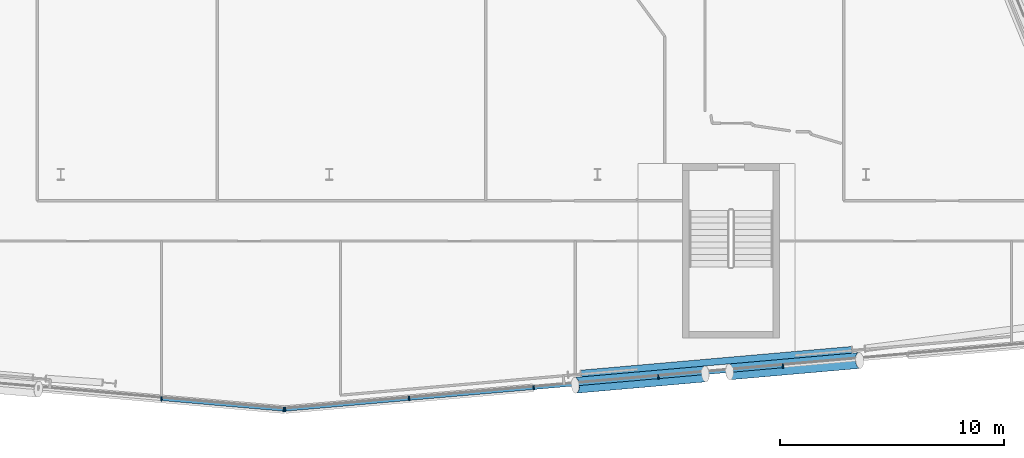
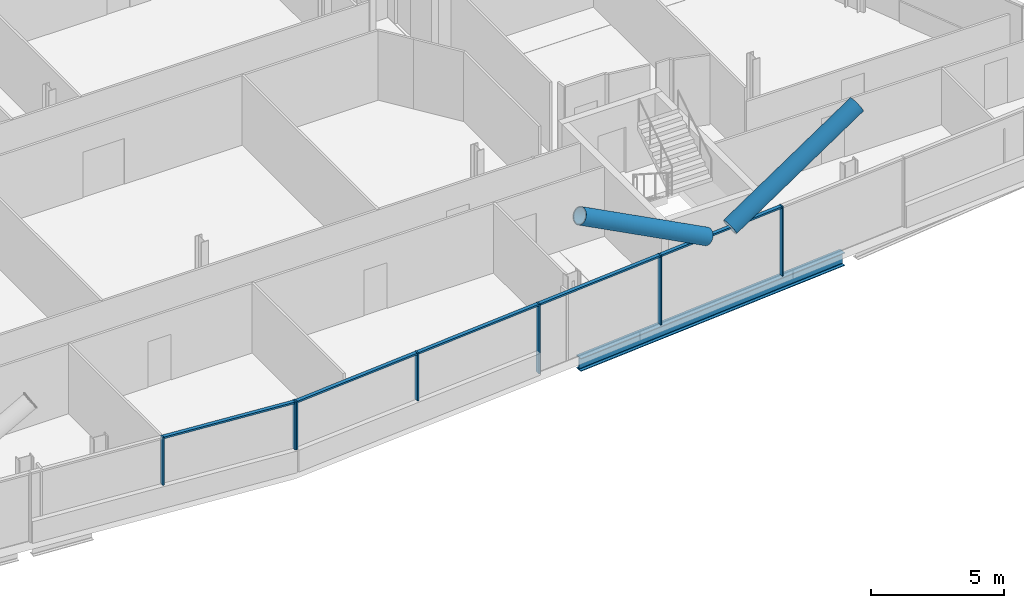
# One storey, part 8 of 27: 14 members, 1 beam, 2 elements without a shape of their own.
"""IFC4 building model written with IfcOpenShell, lengths in metres."""

from ifc_helpers import new_model, si_unit, direction, frame, origin, origin_2d, place, context, subcontext, project, spatial, rectangle, hollow_circle, i_section, extrude, material, material_profile, profile_set, type_object, element, aggregate, save


model = new_model("IFC4")

# Units and contexts
model_context = context("Model", 3, precision=1e-05, world=origin(), true_north=direction((0.0, 1.0)))
body_context = subcontext(model_context, "Body", "Model", "MODEL_VIEW")
ifc_project = project(units=[si_unit("LENGTHUNIT", "METRE"), si_unit("AREAUNIT", "SQUARE_METRE"), si_unit("VOLUMEUNIT", "CUBIC_METRE"), si_unit("PLANEANGLEUNIT", "RADIAN"), si_unit("MASSUNIT", "GRAM", prefix="KILO")], contexts=[model_context])

# Site, building, storey
site_placement = place(None, origin())
site = spatial("IfcSite", under=ifc_project, at=site_placement, CompositionType="ELEMENT")
building_placement = place(site_placement, origin())
building = spatial("IfcBuilding", under=site, at=building_placement, Name="Wharfspan Tower", CompositionType="ELEMENT")
storey_placement = place(building_placement, frame((0.0, 0.0, 195.100098)))
storey = spatial("IfcBuildingStorey", under=building, at=storey_placement, Name="L48", CompositionType="ELEMENT", Elevation=195.100098)

# Beam
ifc_material_1 = material(Name="Steel S355J2", Category="steel")
ifc_material_profile_1 = material_profile(ifc_material_1, i_section(OverallWidth=0.300049, OverallDepth=0.600098, WebThickness=0.015381, FlangeThickness=0.030029, FilletRadius=0.0271, at=origin_2d()))
ifc_profile_set_1 = profile_set([ifc_material_profile_1], Name="Steel S355J2")
beam_type = type_object("IfcBeamType", Name="Edge beam HEB 600", PredefinedType="SPANDREL", material=ifc_profile_set_1)
beam_placement = place(storey_placement, frame((59.265625, 2.600342, -0.700195), z_axis=(0.996195, 0.087155, 0.0), x_axis=(-0.087155, 0.996195, 0.0)))
element("IfcBeam", 1, at=beam_placement, inside=storey, type_object=beam_type, Name="Edge beam S2 L48 PS2.1 to PS2.2", PredefinedType="SPANDREL", context=body_context, shape_type="SweptSolid", body=[
    extrude(i_section(OverallWidth=0.300049, OverallDepth=0.600098, WebThickness=0.015381, FlangeThickness=0.030029, FilletRadius=0.0271, at=origin_2d()), origin(), (0.0, 0.0, 1.0), 12.137695),
])

# Curtain wall, members
ifc_material_2 = material(Name="Aluminium 6063-T6", Category="aluminium")
curtain_wall_type = type_object("IfcCurtainWallType", Name="CURTAIN WALL FACETED FRONT", PredefinedType="NOTDEFINED", material=ifc_material_2)
curtain_wall_1_placement = place(storey_placement, origin())
curtain_wall_1 = element("IfcCurtainWall", 2, at=curtain_wall_1_placement, inside=storey, type_object=curtain_wall_type, Name="Curtain wall S1", PredefinedType="NOTDEFINED")
ifc_material_profile_2 = material_profile(ifc_material_2, rectangle(XDim=0.199951, YDim=0.060059, at=origin_2d()))
ifc_profile_set_2 = profile_set([ifc_material_profile_2], Name="Aluminium 6063-T6")
member_type_1 = type_object("IfcMemberType", Name="MULLION FACETED FRONT 60x200", PredefinedType="MULLION", material=ifc_profile_set_2)
member_1_placement = place(storey_placement, frame((40.5, 1.469238, 1.0), z_axis=(0.0, 0.0, 1.0), x_axis=(0.087156, 0.996198, 0.0)))
member_1 = element("IfcMember", 3, at=member_1_placement, type_object=member_type_1, Name="Curtain wall S1 mullion 6", PredefinedType="MULLION", context=body_context, shape_type="SweptSolid", body=[
    extrude(rectangle(XDim=0.199951, YDim=0.060059, at=origin_2d()), origin(), (0.0, 0.0, 1.0), 2.199951),
])
member_2_placement = place(storey_placement, frame((45.970215, 0.990479, 1.0), z_axis=(0.0, 0.0, 1.0), x_axis=(0.087156, 0.996198, 0.0)))
member_2 = element("IfcMember", 4, at=member_2_placement, type_object=member_type_1, Name="Curtain wall S1 mullion 7", PredefinedType="MULLION", context=body_context, shape_type="SweptSolid", body=[
    extrude(rectangle(XDim=0.199951, YDim=0.060059, at=origin_2d()), origin(), (0.0, 0.0, 1.0), 2.199951),
])

curtain_wall_2_placement = place(storey_placement, origin())
curtain_wall_2 = element("IfcCurtainWall", 5, at=curtain_wall_2_placement, inside=storey, type_object=curtain_wall_type, Name="Curtain wall S2", PredefinedType="NOTDEFINED")
member_3_placement = place(storey_placement, frame((46.029785, 0.990479, 1.0), z_axis=(0.0, 0.0, 1.0), x_axis=(-0.087156, 0.996198, 0.0)))
member_3 = element("IfcMember", 6, at=member_3_placement, type_object=member_type_1, Name="Curtain wall S2 mullion 1", PredefinedType="MULLION", context=body_context, shape_type="SweptSolid", body=[
    extrude(rectangle(XDim=0.199951, YDim=0.060059, at=origin_2d()), origin(), (0.0, 0.0, 1.0), 2.199951),
])
member_4_placement = place(storey_placement, frame((51.571533, 1.475342, 1.0), z_axis=(0.0, 0.0, 1.0), x_axis=(-0.087156, 0.996198, 0.0)))
member_4 = element("IfcMember", 7, at=member_4_placement, type_object=member_type_1, Name="Curtain wall S2 mullion 2", PredefinedType="MULLION", context=body_context, shape_type="SweptSolid", body=[
    extrude(rectangle(XDim=0.199951, YDim=0.060059, at=origin_2d()), origin(), (0.0, 0.0, 1.0), 2.199951),
])
member_5_placement = place(storey_placement, frame((57.142822, 1.962891, 0.0), z_axis=(0.0, 0.0, 1.0), x_axis=(-0.087156, 0.996198, 0.0)))
member_5 = element("IfcMember", 8, at=member_5_placement, type_object=member_type_1, Name="Curtain wall S2 mullion 3", PredefinedType="MULLION", context=body_context, shape_type="SweptSolid", body=[
    extrude(rectangle(XDim=0.199951, YDim=0.060059, at=origin_2d()), origin(), (0.0, 0.0, 1.0), 3.199951),
])
member_6_placement = place(storey_placement, frame((62.714355, 2.450195, 0.0), z_axis=(0.0, 0.0, 1.0), x_axis=(-0.087156, 0.996198, 0.0)))
member_6 = element("IfcMember", 9, at=member_6_placement, type_object=member_type_1, Name="Curtain wall S2 mullion 4", PredefinedType="MULLION", context=body_context, shape_type="SweptSolid", body=[
    extrude(rectangle(XDim=0.199951, YDim=0.060059, at=origin_2d()), origin(), (0.0, 0.0, 1.0), 3.199951),
])
member_7_placement = place(storey_placement, frame((68.285645, 2.937744, 0.0), z_axis=(0.0, 0.0, 1.0), x_axis=(-0.087156, 0.996198, 0.0)))
member_7 = element("IfcMember", 10, at=member_7_placement, type_object=member_type_1, Name="Curtain wall S2 mullion 5", PredefinedType="MULLION", context=body_context, shape_type="SweptSolid", body=[
    extrude(rectangle(XDim=0.199951, YDim=0.060059, at=origin_2d()), origin(), (0.0, 0.0, 1.0), 3.199951),
])

# Members
ifc_material_3 = material(Name="Steel S460NH", Category="steel")
ifc_material_profile_3 = material_profile(ifc_material_3, hollow_circle(Radius=0.355469, WallThickness=0.035889, at=origin_2d()))
ifc_profile_set_3 = profile_set([ifc_material_profile_3], Name="Steel S460NH")
member_type_2 = type_object("IfcMemberType", Name="Mega brace CHS 711x36", PredefinedType="BRACE", material=ifc_profile_set_3)
member_8_placement = place(storey_placement, frame((65.897949, 2.673584, 3.20752), z_axis=(0.867436, 0.075878, 0.491729), x_axis=(-0.08714, 0.996196, -2e-06)))
element("IfcMember", 11, at=member_8_placement, inside=storey, type_object=member_type_2, Name="Mega brace S2 L48 part 2", PredefinedType="BRACE", context=body_context, shape_type="SweptSolid", body=[
    extrude(hollow_circle(Radius=0.355469, WallThickness=0.035889, at=origin_2d()), origin(), (0.0, 0.0, 1.0), 6.695801),
])
member_9_placement = place(storey_placement, frame((64.812744, 2.578613, 3.20752), z_axis=(-0.867427, -0.07588, 0.491745), x_axis=(0.087145, -0.996197, 1e-06)))
element("IfcMember", 12, at=member_9_placement, inside=storey, type_object=member_type_2, Name="Mega brace S2 L48 part 4", PredefinedType="BRACE", context=body_context, shape_type="SweptSolid", body=[
    extrude(hollow_circle(Radius=0.355469, WallThickness=0.035889, at=origin_2d()), origin(), (0.0, 0.0, 1.0), 6.695557),
])

# Member
ifc_material_profile_4 = material_profile(ifc_material_2, rectangle(XDim=0.159912, YDim=0.080078, at=origin_2d()))
ifc_profile_set_4 = profile_set([ifc_material_profile_4], Name="Aluminium 6063-T6")
member_type_3 = type_object("IfcMemberType", Name="TRANSOM FACETED FRONT 80x160", PredefinedType="USERDEFINED", material=ifc_profile_set_4)
member_10_placement = place(storey_placement, frame((40.529785, 1.466553, 3.159912), z_axis=(0.996194, -0.087163, 0.0), x_axis=(0.087163, 0.996194, 0.0)))
member_10 = element("IfcMember", 13, at=member_10_placement, type_object=member_type_3, Name="Curtain wall S1 transom 6", ObjectType="TRANSOM", PredefinedType="USERDEFINED", context=body_context, shape_type="SweptSolid", body=[
    extrude(rectangle(XDim=0.159912, YDim=0.080078, at=origin_2d()), origin(), (0.0, 0.0, 1.0), 5.431152),
])

aggregate(curtain_wall_1, [member_1, member_2, member_10])

member_11_placement = place(storey_placement, frame((46.059814, 0.993164, 3.159912), z_axis=(0.996196, 0.087139, 0.0), x_axis=(-0.087139, 0.996196, 0.0)))
member_11 = element("IfcMember", 14, at=member_11_placement, type_object=member_type_3, Name="Curtain wall S2 transom 1", ObjectType="TRANSOM", PredefinedType="USERDEFINED", context=body_context, shape_type="SweptSolid", body=[
    extrude(rectangle(XDim=0.159912, YDim=0.080078, at=origin_2d()), origin(), (0.0, 0.0, 1.0), 5.502686),
])

member_12_placement = place(storey_placement, frame((51.601318, 1.478027, 3.159912), z_axis=(0.996195, 0.087149, 0.0), x_axis=(-0.087149, 0.996195, 0.0)))
member_12 = element("IfcMember", 15, at=member_12_placement, type_object=member_type_3, Name="Curtain wall S2 transom 2", ObjectType="TRANSOM", PredefinedType="USERDEFINED", context=body_context, shape_type="SweptSolid", body=[
    extrude(rectangle(XDim=0.159912, YDim=0.080078, at=origin_2d()), origin(), (0.0, 0.0, 1.0), 5.532715),
])

member_13_placement = place(storey_placement, frame((57.172852, 1.965332, 3.159912), z_axis=(0.996191, 0.087197, 0.0), x_axis=(-0.087197, 0.996191, 0.0)))
member_13 = element("IfcMember", 16, at=member_13_placement, type_object=member_type_3, Name="Curtain wall S2 transom 3", ObjectType="TRANSOM", PredefinedType="USERDEFINED", context=body_context, shape_type="SweptSolid", body=[
    extrude(rectangle(XDim=0.159912, YDim=0.080078, at=origin_2d()), origin(), (0.0, 0.0, 1.0), 5.532471),
])

member_14_placement = place(storey_placement, frame((62.744141, 2.452881, 3.159912), z_axis=(0.996195, 0.087149, 0.0), x_axis=(-0.087149, 0.996195, 0.0)))
member_14 = element("IfcMember", 17, at=member_14_placement, type_object=member_type_3, Name="Curtain wall S2 transom 4", ObjectType="TRANSOM", PredefinedType="USERDEFINED", context=body_context, shape_type="SweptSolid", body=[
    extrude(rectangle(XDim=0.159912, YDim=0.080078, at=origin_2d()), origin(), (0.0, 0.0, 1.0), 5.532715),
])

aggregate(curtain_wall_2, [member_3, member_4, member_5, member_6, member_7, member_11, member_12, member_13, member_14])

save(model, "model.ifc")
